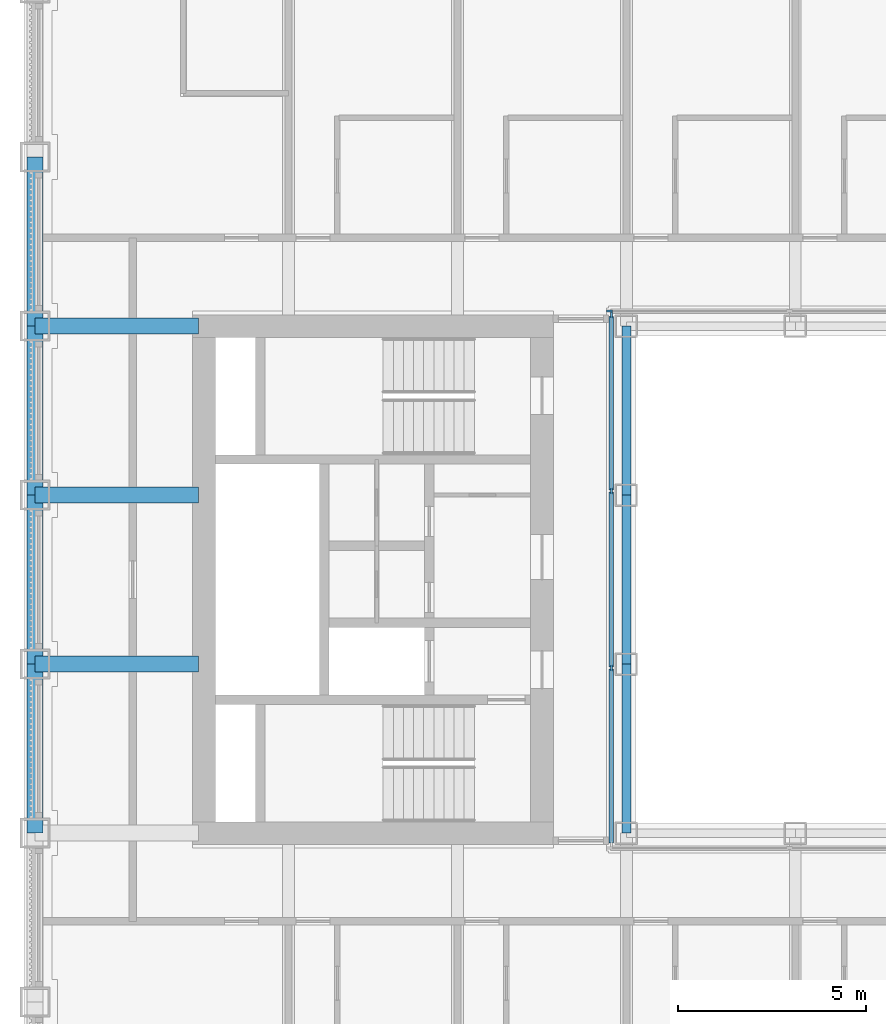
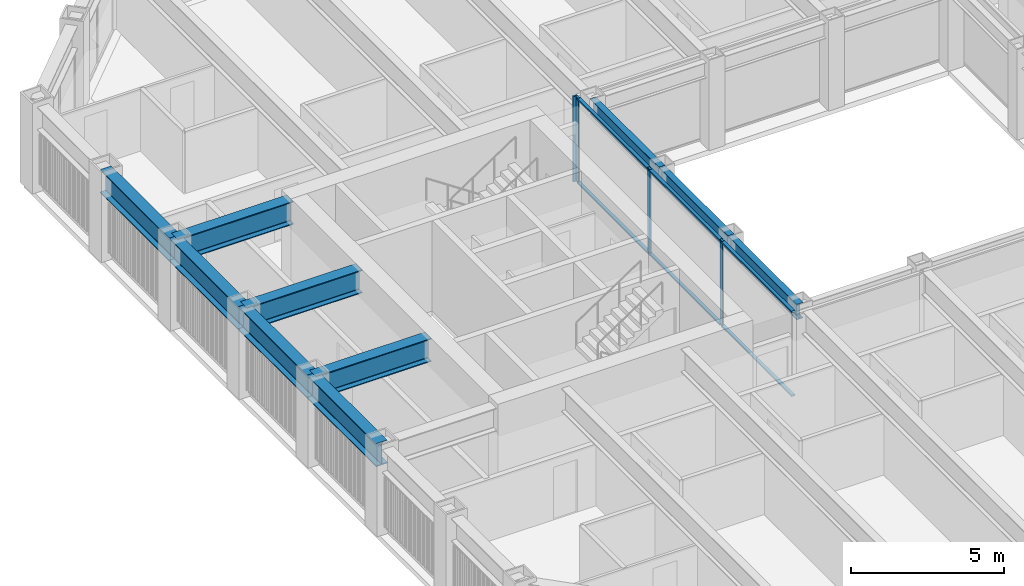
# One storey, part 4 of 18: 10 beams, 10 members, 2 elements without a shape of their own.
"""IFC4 building model written with IfcOpenShell, lengths in metres."""

from ifc_helpers import new_model, si_unit, direction, frame, origin, origin_2d, place, context, subcontext, project, spatial, rectangle, i_section, extrude, material, material_profile, profile_set, type_object, element, aggregate, save


model = new_model("IFC4")

# Units and contexts
model_context = context("Model", 3, precision=1e-05, world=origin(), true_north=direction((0.0, 1.0)))
body_context = subcontext(model_context, "Body", "Model", "MODEL_VIEW")
ifc_project = project(units=[si_unit("LENGTHUNIT", "METRE"), si_unit("AREAUNIT", "SQUARE_METRE"), si_unit("VOLUMEUNIT", "CUBIC_METRE"), si_unit("PLANEANGLEUNIT", "RADIAN"), si_unit("MASSUNIT", "GRAM", prefix="KILO")], contexts=[model_context])

# Site, building, storey
site_placement = place(None, origin())
site = spatial("IfcSite", under=ifc_project, at=site_placement, CompositionType="ELEMENT")
building_placement = place(site_placement, origin())
building = spatial("IfcBuilding", under=site, at=building_placement, Name="Msasa Ring Tower", CompositionType="ELEMENT")
storey_placement = place(building_placement, frame((0.0, 0.0, 125.60009765625)))
storey = spatial("IfcBuildingStorey", under=building, at=storey_placement, Name="L32", CompositionType="ELEMENT", Elevation=125.60009765625)

# Curtain wall, member
ifc_material_1 = material(Name="Aluminium curtain wall with clear glass", Category="aluminium")
curtain_wall_type = type_object("IfcCurtainWallType", Name="CW-W LIGHT WELL CURTAIN WALL", PredefinedType="NOTDEFINED", material=ifc_material_1)
curtain_wall_1_placement = place(storey_placement, origin())
curtain_wall_1 = element("IfcCurtainWall", 1, at=curtain_wall_1_placement, inside=storey, type_object=curtain_wall_type, Name="Light well curtain wall N L32", PredefinedType="NOTDEFINED")
ifc_material_2 = material(Name="Aluminium mullion", Category="aluminium")
ifc_material_profile_1 = material_profile(ifc_material_2, rectangle(XDim=0.06005859375, YDim=0.159912109375, at=origin_2d()), Name="AL 60x160")
ifc_profile_set_1 = profile_set([ifc_material_profile_1], Name="Aluminium mullion")
member_type_1 = type_object("IfcMemberType", Name="CW-W MULLION 60x160", PredefinedType="MULLION", material=ifc_profile_set_1)
member_1_placement = place(storey_placement, frame((-7.199951171875, 7.14990234375, 0.0), z_axis=(0.0, 0.0, 1.0), x_axis=(0.0, 1.0, 0.0)))
member_1 = element("IfcMember", 2, at=member_1_placement, type_object=member_type_1, Name="CW-W mullion 1", PredefinedType="MULLION", context=body_context, shape_type="SweptSolid", body=[
    extrude(rectangle(XDim=0.06005859375, YDim=0.159912109375, at=origin_2d()), origin(), (0.0, 0.0, 1.0), 3.39990234375),
])
aggregate(curtain_wall_1, [member_1])

# Curtain wall, members
curtain_wall_2_placement = place(storey_placement, origin())
curtain_wall_2 = element("IfcCurtainWall", 3, at=curtain_wall_2_placement, inside=storey, type_object=curtain_wall_type, Name="Light well curtain wall W L32", PredefinedType="NOTDEFINED")
member_2_placement = place(storey_placement, frame((-7.14990234375, -2.356689453125, 0.0), z_axis=(0.0, 0.0, 1.0), x_axis=(-1.0, 0.0, 0.0)))
member_2 = element("IfcMember", 4, at=member_2_placement, type_object=member_type_1, Name="CW-W mullion 2", PredefinedType="MULLION", context=body_context, shape_type="SweptSolid", body=[
    extrude(rectangle(XDim=0.06005859375, YDim=0.159912109375, at=origin_2d()), origin(), (0.0, 0.0, 1.0), 3.39990234375),
])
member_3_placement = place(storey_placement, frame((-7.14990234375, 2.356689453125, 0.0), z_axis=(0.0, 0.0, 1.0), x_axis=(-1.0, 0.0, 0.0)))
member_3 = element("IfcMember", 5, at=member_3_placement, type_object=member_type_1, Name="CW-W mullion 3", PredefinedType="MULLION", context=body_context, shape_type="SweptSolid", body=[
    extrude(rectangle(XDim=0.06005859375, YDim=0.159912109375, at=origin_2d()), origin(), (0.0, 0.0, 1.0), 3.39990234375),
])
member_4_placement = place(storey_placement, frame((-7.14990234375, 7.0400390625, 0.0), z_axis=(0.0, 0.0, 1.0), x_axis=(-1.0, 0.0, 0.0)))
member_4 = element("IfcMember", 6, at=member_4_placement, type_object=member_type_1, Name="CW-W mullion 4", PredefinedType="MULLION", context=body_context, shape_type="SweptSolid", body=[
    extrude(rectangle(XDim=0.06005859375, YDim=0.159912109375, at=origin_2d()), origin(), (0.0, 0.0, 1.0), 3.39990234375),
])
ifc_material_3 = material(Name="Aluminium transom", Category="aluminium")
ifc_material_profile_2 = material_profile(ifc_material_3, rectangle(XDim=0.1201171875, YDim=0.06005859375, at=origin_2d()), Name="AL 60x120")
ifc_profile_set_2 = profile_set([ifc_material_profile_2], Name="Aluminium transom")
member_type_2 = type_object("IfcMemberType", Name="CW-W TRANSOM 60x120", PredefinedType="USERDEFINED", material=ifc_profile_set_2)
member_5_placement = place(storey_placement, frame((-7.14990234375, -7.010009765625, 0.02978515625), z_axis=(0.0, 1.0, 0.0), x_axis=(-1.0, 0.0, 0.0)))
member_5 = element("IfcMember", 7, at=member_5_placement, type_object=member_type_2, Name="CW-W transom 1.1", ObjectType="TRANSOM", PredefinedType="USERDEFINED", context=body_context, shape_type="SweptSolid", body=[
    extrude(rectangle(XDim=0.1201171875, YDim=0.06005859375, at=origin_2d()), origin(), (0.0, 0.0, 1.0), 4.623291015625),
])
member_6_placement = place(storey_placement, frame((-7.14990234375, -7.010009765625, 3.369873046875), z_axis=(0.0, 1.0, 0.0), x_axis=(-1.0, 0.0, 0.0)))
member_6 = element("IfcMember", 8, at=member_6_placement, type_object=member_type_2, Name="CW-W transom 1.2", ObjectType="TRANSOM", PredefinedType="USERDEFINED", context=body_context, shape_type="SweptSolid", body=[
    extrude(rectangle(XDim=0.1201171875, YDim=0.06005859375, at=origin_2d()), origin(), (0.0, 0.0, 1.0), 4.623291015625),
])
member_7_placement = place(storey_placement, frame((-7.14990234375, -2.32666015625, 0.02978515625), z_axis=(0.0, 1.0, 0.0), x_axis=(-1.0, 0.0, 0.0)))
member_7 = element("IfcMember", 9, at=member_7_placement, type_object=member_type_2, Name="CW-W transom 2.1", ObjectType="TRANSOM", PredefinedType="USERDEFINED", context=body_context, shape_type="SweptSolid", body=[
    extrude(rectangle(XDim=0.1201171875, YDim=0.06005859375, at=origin_2d()), origin(), (0.0, 0.0, 1.0), 4.6533203125),
])
member_8_placement = place(storey_placement, frame((-7.14990234375, -2.32666015625, 3.369873046875), z_axis=(0.0, 1.0, 0.0), x_axis=(-1.0, 0.0, 0.0)))
member_8 = element("IfcMember", 10, at=member_8_placement, type_object=member_type_2, Name="CW-W transom 2.2", ObjectType="TRANSOM", PredefinedType="USERDEFINED", context=body_context, shape_type="SweptSolid", body=[
    extrude(rectangle(XDim=0.1201171875, YDim=0.06005859375, at=origin_2d()), origin(), (0.0, 0.0, 1.0), 4.6533203125),
])
member_9_placement = place(storey_placement, frame((-7.14990234375, 2.38671875, 0.02978515625), z_axis=(0.0, 1.0, 0.0), x_axis=(-1.0, 0.0, 0.0)))
member_9 = element("IfcMember", 11, at=member_9_placement, type_object=member_type_2, Name="CW-W transom 3.1", ObjectType="TRANSOM", PredefinedType="USERDEFINED", context=body_context, shape_type="SweptSolid", body=[
    extrude(rectangle(XDim=0.1201171875, YDim=0.06005859375, at=origin_2d()), origin(), (0.0, 0.0, 1.0), 4.623291015625),
])
member_10_placement = place(storey_placement, frame((-7.14990234375, 2.38671875, 3.369873046875), z_axis=(0.0, 1.0, 0.0), x_axis=(-1.0, 0.0, 0.0)))
member_10 = element("IfcMember", 12, at=member_10_placement, type_object=member_type_2, Name="CW-W transom 3.2", ObjectType="TRANSOM", PredefinedType="USERDEFINED", context=body_context, shape_type="SweptSolid", body=[
    extrude(rectangle(XDim=0.1201171875, YDim=0.06005859375, at=origin_2d()), origin(), (0.0, 0.0, 1.0), 4.623291015625),
])
aggregate(curtain_wall_2, [member_2, member_3, member_4, member_5, member_6, member_7, member_8, member_9, member_10])

# Beams
ifc_material_4 = material(Name="Steel S355", Category="steel")
ifc_material_profile_3 = material_profile(ifc_material_4, i_section(OverallWidth=0.42041015625, OverallDepth=0.9208984375, WebThickness=0.021484375, FlangeThickness=0.03662109375, FilletRadius=0.024169921875, at=origin_2d()), Name="UB 914x419x388")
ifc_profile_set_3 = profile_set([ifc_material_profile_3], Name="Steel S355")
beam_type_1 = type_object("IfcBeamType", Name="FB2 UB 914x419x388", PredefinedType="BEAM", material=ifc_profile_set_3)
for number, where, z_axis, x_axis, name in (
    (13, (-22.5, -2.25, 2.939453125), (1.0, 0.0, 0.0), (0.0, 1.0, 0.0), "Floor beam W -2.25 under L33"),
    (14, (-22.5, 2.25, 2.939453125), (1.0, 0.0, 0.0), (0.0, 1.0, 0.0), "Floor beam W +2.25 under L33"),
):
    element("IfcBeam", number, at=place(storey_placement, frame(where, z_axis=z_axis, x_axis=x_axis)), inside=storey, type_object=beam_type_1, Name=name, PredefinedType="BEAM", context=body_context, shape_type="SweptSolid", body=[
        extrude(i_section(OverallWidth=0.42041015625, OverallDepth=0.9208984375, WebThickness=0.021484375, FlangeThickness=0.03662109375, FilletRadius=0.024169921875, at=origin_2d()), origin(), (0.0, 0.0, 1.0), 4.35009765625),
    ])
ifc_material_5 = material(Name="Steel S355", Category="steel")
ifc_material_profile_4 = material_profile(ifc_material_5, i_section(OverallWidth=0.42041015625, OverallDepth=0.9208984375, WebThickness=0.021484375, FlangeThickness=0.03662109375, FilletRadius=0.024169921875, at=origin_2d()), Name="UB 914x419x388")
ifc_profile_set_4 = profile_set([ifc_material_profile_4], Name="Steel S355")
beam_type_2 = type_object("IfcBeamType", Name="GB1 UB 914x419x388", PredefinedType="BEAM", material=ifc_profile_set_4)
beam_placement = place(storey_placement, frame((-18.14990234375, 6.75, 2.939453125), z_axis=(-1.0, 0.0, 0.0), x_axis=(0.0, -1.0, 0.0)))
element("IfcBeam", 15, at=beam_placement, inside=storey, type_object=beam_type_2, Name="Girder W +6.75 under L33", PredefinedType="BEAM", context=body_context, shape_type="SweptSolid", body=[
    extrude(i_section(OverallWidth=0.42041015625, OverallDepth=0.9208984375, WebThickness=0.021484375, FlangeThickness=0.03662109375, FilletRadius=0.024169921875, at=origin_2d()), origin(), (0.0, 0.0, 1.0), 4.35009765625),
])
ifc_material_6 = material(Name="Steel S355", Category="steel")
ifc_material_profile_5 = material_profile(ifc_material_6, i_section(OverallWidth=0.230224609375, OverallDepth=0.6171875, WebThickness=0.01318359375, FlangeThickness=0.022216796875, FilletRadius=0.0126953125, at=origin_2d()), Name="UB 610x229x140")
ifc_profile_set_5 = profile_set([ifc_material_profile_5], Name="Steel S355")
beam_type_3 = type_object("IfcBeamType", Name="RB1 UB 610x229x140", PredefinedType="BEAM", material=ifc_profile_set_5)
for number, where, z_axis, x_axis, name in (
    (16, (-6.75, -2.25, 3.09130859375), (0.0, -1.0, 0.0), (1.0, 0.0, 0.0), "Inner ring beam IR-6.75-2.25 under L33"),
    (17, (-6.75, 6.75, 3.09130859375), (0.0, -1.0, 0.0), (1.0, 0.0, 0.0), "Inner ring beam IR-6.75+6.75 under L33"),
    (18, (-6.75, 2.25, 3.09130859375), (0.0, -1.0, 0.0), (1.0, 0.0, 0.0), "Inner ring beam IR-6.75+2.25 under L33"),
):
    element("IfcBeam", number, at=place(storey_placement, frame(where, z_axis=z_axis, x_axis=x_axis)), inside=storey, type_object=beam_type_3, Name=name, PredefinedType="BEAM", context=body_context, shape_type="SweptSolid", body=[
        extrude(i_section(OverallWidth=0.230224609375, OverallDepth=0.6171875, WebThickness=0.01318359375, FlangeThickness=0.022216796875, FilletRadius=0.0126953125, at=origin_2d()), origin(), (0.0, 0.0, 1.0), 4.5),
    ])
ifc_material_7 = material(Name="Steel S355", Category="steel")
ifc_material_profile_6 = material_profile(ifc_material_7, i_section(OverallWidth=0.42041015625, OverallDepth=0.9208984375, WebThickness=0.021484375, FlangeThickness=0.03662109375, FilletRadius=0.024169921875, at=origin_2d()), Name="UB 914x419x388")
ifc_profile_set_6 = profile_set([ifc_material_profile_6], Name="Steel S355")
beam_type_4 = type_object("IfcBeamType", Name="SB1 UB 914x419x388", PredefinedType="SPANDREL", material=ifc_profile_set_6)
for number, where, z_axis, x_axis, name in (
    (19, (-22.5, -2.25, 2.939453125), (0.0, -1.0, 0.0), (1.0, 0.0, 0.0), "Spandrel W-2.25 to W-6.75 under L33"),
    (20, (-22.5, 11.25, 2.939453125), (0.0, -1.0, 0.0), (1.0, 0.0, 0.0), "Spandrel W+11.25 to W+6.75 under L33"),
    (21, (-22.5, 6.75, 2.939453125), (0.0, -1.0, 0.0), (1.0, 0.0, 0.0), "Spandrel W+6.75 to W+2.25 under L33"),
    (22, (-22.5, 2.25, 2.939453125), (0.0, -1.0, 0.0), (1.0, 0.0, 0.0), "Spandrel W+2.25 to W-2.25 under L33"),
):
    element("IfcBeam", number, at=place(storey_placement, frame(where, z_axis=z_axis, x_axis=x_axis)), inside=storey, type_object=beam_type_4, Name=name, PredefinedType="SPANDREL", context=body_context, shape_type="SweptSolid", body=[
        extrude(i_section(OverallWidth=0.42041015625, OverallDepth=0.9208984375, WebThickness=0.021484375, FlangeThickness=0.03662109375, FilletRadius=0.024169921875, at=origin_2d()), origin(), (0.0, 0.0, 1.0), 4.5),
    ])

save(model, "model.ifc")
